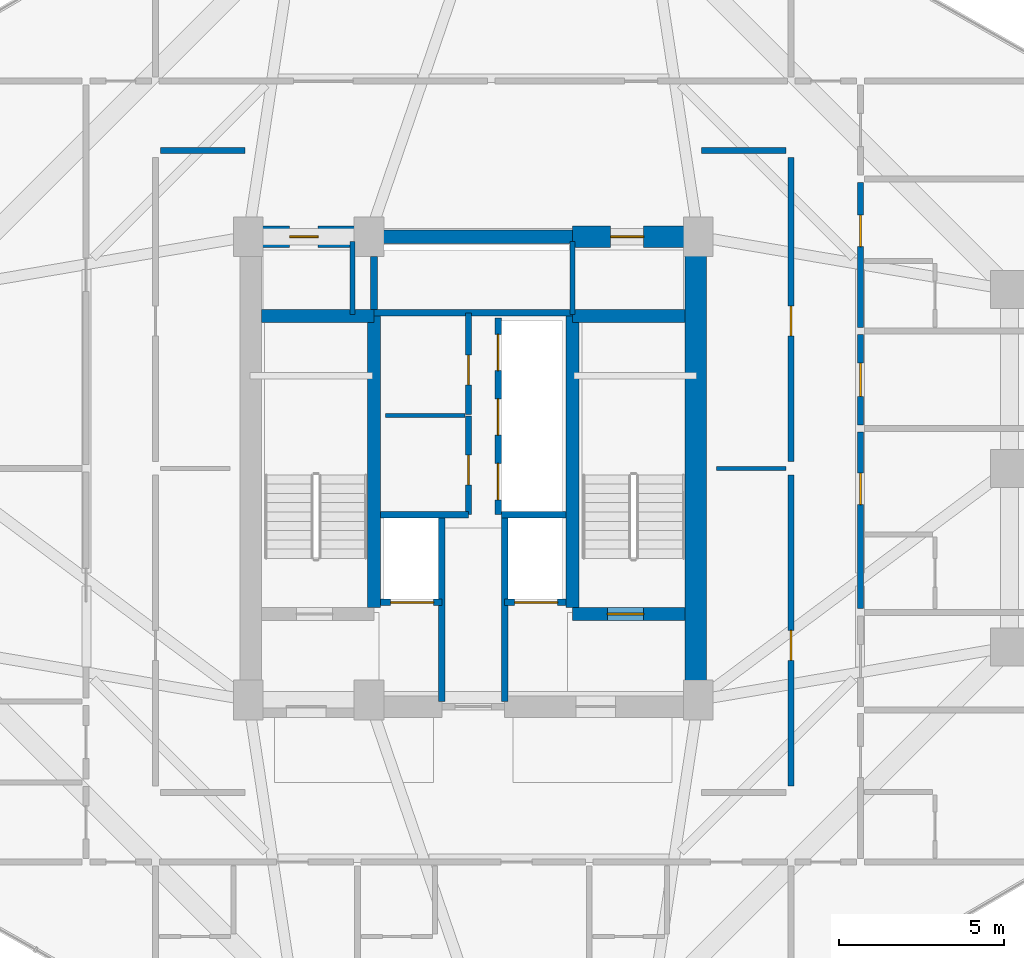
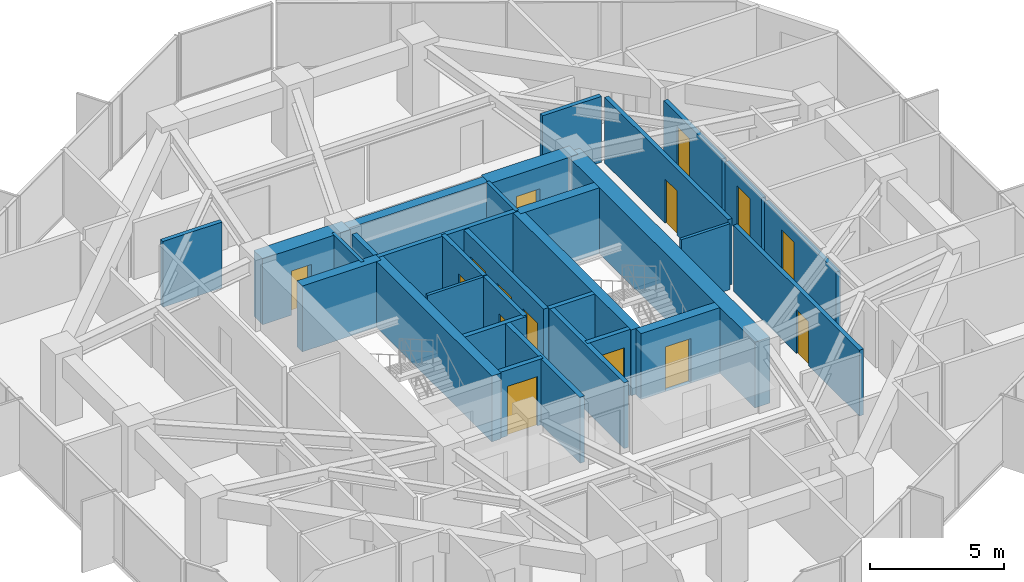
# One storey, part 27 of 30: 31 walls, 15 doors, 15 openings.
"""IFC4 building model written with IfcOpenShell, lengths in metres."""

from ifc_helpers import new_model, si_unit, direction, frame, frame_2d, origin, place, context, subcontext, project, spatial, rectangle, extrude, source, transform, mapped, material, layer, layer_set, type_object, element, fill, save


model = new_model("IFC4")

# Units and contexts
model_context = context("Model", 3, precision=1e-05, world=origin(), true_north=direction((0.0, 1.0)))
body_context = subcontext(model_context, "Body", "Model", "MODEL_VIEW")
ifc_project = project(units=[si_unit("LENGTHUNIT", "METRE"), si_unit("AREAUNIT", "SQUARE_METRE"), si_unit("VOLUMEUNIT", "CUBIC_METRE"), si_unit("PLANEANGLEUNIT", "RADIAN"), si_unit("MASSUNIT", "GRAM", prefix="KILO")], contexts=[model_context])

# Site, building, storey
site_placement = place(None, origin())
site = spatial("IfcSite", under=ifc_project, at=site_placement, CompositionType="ELEMENT")
building_placement = place(site_placement, origin())
building = spatial("IfcBuilding", under=site, at=building_placement, Name="Veraguas Prism Commons", CompositionType="ELEMENT")
storey_placement = place(building_placement, frame((0.0, 0.0, 129.5)))
storey = spatial("IfcBuildingStorey", under=building, at=storey_placement, Name="L36", CompositionType="ELEMENT", Elevation=129.5)

# Wall
ifc_material_1 = material(Name="Concrete C50/60", Category="concrete")
ifc_layer_1 = layer(ifc_material_1, 0.39990234375, Name="Clinic and Mid Core Shear Wall RC 400", Category="concrete")
ifc_layer_set_1 = layer_set([ifc_layer_1], Name="Concrete C50/60")
wall_type_1 = type_object("IfcWallType", Name="Clinic and Mid Core Shear Wall RC 400", PredefinedType="SHEAR", material=ifc_layer_set_1)
wall_1_placement = place(storey_placement, frame((21.0, 31.0, 0.0), z_axis=(0.0, 0.0, 1.0), x_axis=(1.0, 0.0, 0.0)))
element("IfcWall", 1, at=wall_1_placement, inside=storey, type_object=wall_type_1, Name="High-Rise Lift Bank Front Shear Wall L36", PredefinedType="SHEAR", context=body_context, shape_type="SweptSolid", body=[
    extrude(rectangle(XDim=6.0, YDim=0.39990234375, at=frame_2d((3.0, 0.0))), origin(), (0.0, 0.0, 1.0), 3.0),
])

# Wall, opening, door
wall_2_placement = place(storey_placement, frame((27.0, 19.60009765625, 0.0), z_axis=(0.0, 0.0, 1.0), x_axis=(1.0, 0.0, 0.0)))
wall_2 = element("IfcWall", 2, at=wall_2_placement, inside=storey, type_object=wall_type_1, Name="Stair ST-02 South Shear Wall L36", PredefinedType="SHEAR", context=body_context, shape_type="SweptSolid", body=[
    extrude(rectangle(XDim=3.39990234375, YDim=0.39990234375, at=frame_2d((1.699951171875, 0.0))), origin(), (0.0, 0.0, 1.0), 3.0),
])
opening_1_placement = place(wall_2_placement, frame((1.050048828125, 0.0, 0.0)))
opening_1 = element("IfcOpeningElement", 3, at=opening_1_placement, cuts=wall_2, Name="Opening DR-05", PredefinedType="OPENING", context=body_context, shape_type="SweptSolid", body=[
    extrude(rectangle(XDim=1.10009765625, YDim=2.030029296875, at=frame_2d((0.550048828125, 1.01513671875))), frame((0.0, 0.2099609375, 0.0), z_axis=(0.0, -1.0, 0.0), x_axis=(1.0, 0.0, 0.0)), (0.0, 0.0, 1.0), 0.419921875),
])
ifc_material_2 = material(Name="Steel fire-rated door assembly", Category="steel")
door_type_1 = type_object("IfcDoorType", Name="Protected Stair and Refuge Fire Door 1100x2030", OperationType="NOTDEFINED", PredefinedType="DOOR", material=ifc_material_2)
shared_shape_1 = source(origin(), body_context, "Body", "SweptSolid", [
    extrude(rectangle(XDim=1.10009765625, YDim=2.030029296875, at=frame_2d((0.550048828125, 1.01513671875))), frame((0.0, 0.02490234375, 0.0), z_axis=(0.0, -1.0, 0.0), x_axis=(1.0, 0.0, 0.0)), (0.0, 0.0, 1.0), 0.050048828125),
])
door_1_placement = place(opening_1_placement, origin())
door_1 = element("IfcDoor", 4, at=door_1_placement, inside=storey, type_object=door_type_1, Name="Stair ST-02 Enclosure Door L36", OperationType="SINGLE_SWING_RIGHT", OverallHeight=2.030029296875, OverallWidth=1.10009765625, PredefinedType="DOOR", context=body_context, shape_type="MappedRepresentation", body=[
    mapped(shared_shape_1, transform((0.0, 0.0, 0.0), scale=1.0)),
])
fill(opening_1, door_1)

# Walls
for number, where, z_axis, x_axis, name in (
    (5, (21.0, 19.800048828125, 0.0), (0.0, 0.0, 1.0), (0.0, 1.0, 0.0), "Stair ST-01 Inner Shear Wall L36"),
    (6, (27.0, 19.800048828125, 0.0), (0.0, 0.0, 1.0), (0.0, 1.0, 0.0), "Stair ST-02 Inner Shear Wall L36"),
):
    element("IfcWall", number, at=place(storey_placement, frame(where, z_axis=z_axis, x_axis=x_axis)), inside=storey, type_object=wall_type_1, Name=name, PredefinedType="SHEAR", context=body_context, shape_type="SweptSolid", body=[
        extrude(rectangle(XDim=8.800048828125, YDim=0.39990234375, at=frame_2d((4.39990234375, 0.0))), origin(), (0.0, 0.0, 1.0), 3.0),
    ])
for number, where, z_axis, x_axis, name in (
    (7, (17.60009765625, 28.60009765625, 0.0), (0.0, 0.0, 1.0), (1.0, 0.0, 0.0), "Stair ST-01 North Shear Wall L36"),
    (8, (27.0, 28.60009765625, 0.0), (0.0, 0.0, 1.0), (1.0, 0.0, 0.0), "Stair ST-02 North Shear Wall L36"),
):
    element("IfcWall", number, at=place(storey_placement, frame(where, z_axis=z_axis, x_axis=x_axis)), inside=storey, type_object=wall_type_1, Name=name, PredefinedType="SHEAR", context=body_context, shape_type="SweptSolid", body=[
        extrude(rectangle(XDim=3.39990234375, YDim=0.39990234375, at=frame_2d((1.699951171875, 0.0))), origin(), (0.0, 0.0, 1.0), 3.0),
    ])
ifc_material_3 = material(Name="Concrete C55/67", Category="concrete")
ifc_layer_2 = layer(ifc_material_3, 0.64990234375, Name="Core Outer Shear Wall Mid RC 650", Category="concrete")
ifc_layer_set_2 = layer_set([ifc_layer_2], Name="Concrete C55/67")
wall_type_2 = type_object("IfcWallType", Name="Core Outer Shear Wall Mid RC 650", PredefinedType="SHEAR", material=ifc_layer_set_2)
wall_3_placement = place(storey_placement, frame((30.72509765625, 16.800048828125, 0.0), z_axis=(0.0, 0.0, 1.0), x_axis=(0.0, 1.0, 0.0)))
element("IfcWall", 9, at=wall_3_placement, inside=storey, type_object=wall_type_2, Name="Central Core East Shear Wall L36", PredefinedType="SHEAR", context=body_context, shape_type="SweptSolid", body=[
    extrude(rectangle(XDim=14.199951171875, YDim=0.64990234375, at=frame_2d((7.10009765625, 0.0))), origin(), (0.0, 0.0, 1.0), 3.0),
])

# Wall, opening, door
wall_4_placement = place(storey_placement, frame((17.199951171875, 31.0, 0.0), z_axis=(0.0, 0.0, 1.0), x_axis=(1.0, 0.0, 0.0)))
wall_4 = element("IfcWall", 10, at=wall_4_placement, inside=storey, type_object=wall_type_2, Name="Central Core North-West Shear Wall L36", PredefinedType="SHEAR", context=body_context, shape_type="SweptSolid", body=[
    extrude(rectangle(XDim=3.800048828125, YDim=0.64990234375, at=frame_2d((1.89990234375, 0.0))), origin(), (0.0, 0.0, 1.0), 3.0),
])
opening_2_placement = place(wall_4_placement, frame((1.25, 0.0, 0.0)))
opening_2 = element("IfcOpeningElement", 11, at=opening_2_placement, cuts=wall_4, Name="Opening DR-12", PredefinedType="OPENING", context=body_context, shape_type="SweptSolid", body=[
    extrude(rectangle(XDim=0.860107421875, YDim=2.010009765625, at=frame_2d((0.43017578125, 1.0048828125))), frame((0.0, 0.3349609375, 0.0), z_axis=(0.0, -1.0, 0.0), x_axis=(1.0, 0.0, 0.0)), (0.0, 0.0, 1.0), 0.669921875),
])
door_type_2 = type_object("IfcDoorType", Name="Core WC Fire Door 860x2010", OperationType="NOTDEFINED", PredefinedType="DOOR", material=ifc_material_2)
shared_shape_2 = source(origin(), body_context, "Body", "SweptSolid", [
    extrude(rectangle(XDim=0.860107421875, YDim=2.010009765625, at=frame_2d((0.43017578125, 1.0048828125))), frame((0.0, 0.02490234375, 0.0), z_axis=(0.0, -1.0, 0.0), x_axis=(1.0, 0.0, 0.0)), (0.0, 0.0, 1.0), 0.050048828125),
])
door_2_placement = place(opening_2_placement, origin())
door_2 = element("IfcDoor", 12, at=door_2_placement, inside=storey, type_object=door_type_2, Name="Core NW Service Door L36", OperationType="SINGLE_SWING_LEFT", OverallHeight=2.010009765625, OverallWidth=0.860107421875, PredefinedType="DOOR", context=body_context, shape_type="MappedRepresentation", body=[
    mapped(shared_shape_2, transform((0.0, 0.0, 0.0), scale=1.0)),
])
fill(opening_2, door_2)

wall_5_placement = place(storey_placement, frame((27.0, 31.0, 0.0), z_axis=(0.0, 0.0, 1.0), x_axis=(1.0, 0.0, 0.0)))
wall_5 = element("IfcWall", 13, at=wall_5_placement, inside=storey, type_object=wall_type_2, Name="Central Core North-East Shear Wall L36", PredefinedType="SHEAR", context=body_context, shape_type="SweptSolid", body=[
    extrude(rectangle(XDim=3.800048828125, YDim=0.64990234375, at=frame_2d((1.89990234375, 0.0))), origin(), (0.0, 0.0, 1.0), 3.0),
])
opening_3_placement = place(wall_5_placement, frame((1.14990234375, 0.0, 0.0)))
opening_3 = element("IfcOpeningElement", 14, at=opening_3_placement, cuts=wall_5, Name="Opening DR-13", PredefinedType="OPENING", context=body_context, shape_type="SweptSolid", body=[
    extrude(rectangle(XDim=1.0, YDim=2.010009765625, at=frame_2d((0.5, 1.0048828125))), frame((0.0, 0.3349609375, 0.0), z_axis=(0.0, -1.0, 0.0), x_axis=(1.0, 0.0, 0.0)), (0.0, 0.0, 1.0), 0.669921875),
])
door_type_3 = type_object("IfcDoorType", Name="Core Accessible WC and Clinic Fire Door 1000x2010", OperationType="NOTDEFINED", PredefinedType="DOOR", material=ifc_material_2)
shared_shape_3 = source(origin(), body_context, "Body", "SweptSolid", [
    extrude(rectangle(XDim=1.0, YDim=2.010009765625, at=frame_2d((0.5, 1.0048828125))), frame((0.0, 0.02490234375, 0.0), z_axis=(0.0, -1.0, 0.0), x_axis=(1.0, 0.0, 0.0)), (0.0, 0.0, 1.0), 0.050048828125),
])
door_3_placement = place(opening_3_placement, origin())
door_3 = element("IfcDoor", 15, at=door_3_placement, inside=storey, type_object=door_type_3, Name="Core NE Pantry Door L36", OperationType="SINGLE_SWING_RIGHT", OverallHeight=2.010009765625, OverallWidth=1.0, PredefinedType="DOOR", context=body_context, shape_type="MappedRepresentation", body=[
    mapped(shared_shape_3, transform((0.0, 0.0, 0.0), scale=1.0)),
])
fill(opening_3, door_3)

ifc_material_4 = material(Name="Autoclaved aerated masonry block 10 MPa", Category="masonry")
ifc_layer_3 = layer(ifc_material_4, 0.179931640625, Name="Corridor and Inter-Tenancy Partition 180", Category="masonry")
ifc_layer_set_3 = layer_set([ifc_layer_3], Name="Autoclaved aerated masonry block 10 MPa")
wall_type_3 = type_object("IfcWallType", Name="Corridor and Inter-Tenancy Partition 180", PredefinedType="PARTITIONING", material=ifc_layer_set_3)
wall_6_placement = place(storey_placement, frame((23.85009765625, 22.60009765625, 0.0), z_axis=(0.0, 0.0, 1.0), x_axis=(0.0, 1.0, 0.0)))
wall_6 = element("IfcWall", 16, at=wall_6_placement, inside=storey, type_object=wall_type_3, Name="Co-op Pantry Partition L36", PredefinedType="PARTITIONING", context=body_context, shape_type="SweptSolid", body=[
    extrude(rectangle(XDim=2.97998046875, YDim=0.179931640625, at=frame_2d((1.489990234375, 0.0))), origin(), (0.0, 0.0, 1.0), 3.0),
])
opening_4_placement = place(wall_6_placement, frame((0.89990234375, 0.0, 0.0)))
opening_4 = element("IfcOpeningElement", 17, at=opening_4_placement, cuts=wall_6, Name="Opening DR-14", PredefinedType="OPENING", context=body_context, shape_type="SweptSolid", body=[
    extrude(rectangle(XDim=0.89990234375, YDim=2.010009765625, at=frame_2d((0.449951171875, 1.0048828125))), frame((0.0, 0.099853515625, 0.0), z_axis=(0.0, -1.0, 0.0), x_axis=(1.0, 0.0, 0.0)), (0.0, 0.0, 1.0), 0.199951171875),
])
door_type_4 = type_object("IfcDoorType", Name="Core Service Room Fire Door 900x2010", OperationType="NOTDEFINED", PredefinedType="DOOR", material=ifc_material_2)
shared_shape_4 = source(origin(), body_context, "Body", "SweptSolid", [
    extrude(rectangle(XDim=0.89990234375, YDim=2.010009765625, at=frame_2d((0.449951171875, 1.0048828125))), frame((0.0, 0.02490234375, 0.0), z_axis=(0.0, -1.0, 0.0), x_axis=(1.0, 0.0, 0.0)), (0.0, 0.0, 1.0), 0.050048828125),
])
door_4_placement = place(opening_4_placement, origin())
door_4 = element("IfcDoor", 18, at=door_4_placement, inside=storey, type_object=door_type_4, Name="Co-op Pantry Door L36", OperationType="SINGLE_SWING_LEFT", OverallHeight=2.010009765625, OverallWidth=0.89990234375, PredefinedType="DOOR", context=body_context, shape_type="MappedRepresentation", body=[
    mapped(shared_shape_4, transform((0.0, 0.0, 0.0), scale=1.0)),
])
fill(opening_4, door_4)

wall_7_placement = place(storey_placement, frame((23.85009765625, 25.6201171875, 0.0), z_axis=(0.0, 0.0, 1.0), x_axis=(0.0, 1.0, 0.0)))
wall_7 = element("IfcWall", 19, at=wall_7_placement, inside=storey, type_object=wall_type_3, Name="Bookshop Alcove Partition L36", PredefinedType="PARTITIONING", context=body_context, shape_type="SweptSolid", body=[
    extrude(rectangle(XDim=3.079833984375, YDim=0.179931640625, at=frame_2d((1.5400390625, 0.0))), origin(), (0.0, 0.0, 1.0), 3.0),
])
opening_5_placement = place(wall_7_placement, frame((0.89990234375, 0.0, 0.0)))
opening_5 = element("IfcOpeningElement", 20, at=opening_5_placement, cuts=wall_7, Name="Opening DR-14", PredefinedType="OPENING", context=body_context, shape_type="SweptSolid", body=[
    extrude(rectangle(XDim=0.89990234375, YDim=2.010009765625, at=frame_2d((0.449951171875, 1.0048828125))), frame((0.0, 0.099853515625, 0.0), z_axis=(0.0, -1.0, 0.0), x_axis=(1.0, 0.0, 0.0)), (0.0, 0.0, 1.0), 0.199951171875),
])
door_5_placement = place(opening_5_placement, origin())
door_5 = element("IfcDoor", 21, at=door_5_placement, inside=storey, type_object=door_type_4, Name="Bookshop Alcove Door L36", OperationType="SINGLE_SWING_RIGHT", OverallHeight=2.010009765625, OverallWidth=0.89990234375, PredefinedType="DOOR", context=body_context, shape_type="MappedRepresentation", body=[
    mapped(shared_shape_4, transform((0.0, 0.0, 0.0), scale=1.0)),
])
fill(opening_5, door_5)

wall_8_placement = place(storey_placement, frame((33.60009765625, 14.39990234375, 0.0), z_axis=(0.0, 0.0, 1.0), x_axis=(0.0, 1.0, 0.0)))
wall_8 = element("IfcWall", 22, at=wall_8_placement, inside=storey, type_object=wall_type_3, Name="WL-L36-IRE1", PredefinedType="PARTITIONING", context=body_context, shape_type="SweptSolid", body=[
    extrude(rectangle(XDim=9.400146484375, YDim=0.179931640625, at=frame_2d((4.7001953125, 0.0))), origin(), (0.0, 0.0, 1.0), 3.0),
])
opening_6_placement = place(wall_8_placement, frame((3.800048828125, 0.0, 0.0)))
opening_6 = element("IfcOpeningElement", 23, at=opening_6_placement, cuts=wall_8, Name="Opening DR-14", PredefinedType="OPENING", context=body_context, shape_type="SweptSolid", body=[
    extrude(rectangle(XDim=0.89990234375, YDim=2.010009765625, at=frame_2d((0.449951171875, 1.0048828125))), frame((0.0, 0.099853515625, 0.0), z_axis=(0.0, -1.0, 0.0), x_axis=(1.0, 0.0, 0.0)), (0.0, 0.0, 1.0), 0.199951171875),
])
door_6_placement = place(opening_6_placement, origin())
door_6 = element("IfcDoor", 24, at=door_6_placement, inside=storey, type_object=door_type_4, Name="Shared Laundry Annex Door L36", OperationType="SINGLE_SWING_LEFT", OverallHeight=2.010009765625, OverallWidth=0.89990234375, PredefinedType="DOOR", context=body_context, shape_type="MappedRepresentation", body=[
    mapped(shared_shape_4, transform((0.0, 0.0, 0.0), scale=1.0)),
])
fill(opening_6, door_6)

wall_9_placement = place(storey_placement, frame((33.60009765625, 24.199951171875, 0.0), z_axis=(0.0, 0.0, 1.0), x_axis=(0.0, 1.0, 0.0)))
wall_9 = element("IfcWall", 25, at=wall_9_placement, inside=storey, type_object=wall_type_3, Name="WL-L36-IRE2", PredefinedType="PARTITIONING", context=body_context, shape_type="SweptSolid", body=[
    extrude(rectangle(XDim=9.199951171875, YDim=0.179931640625, at=frame_2d((4.60009765625, 0.0))), origin(), (0.0, 0.0, 1.0), 3.0),
])
opening_7_placement = place(wall_9_placement, frame((3.800048828125, 0.0, 0.0)))
opening_7 = element("IfcOpeningElement", 26, at=opening_7_placement, cuts=wall_9, Name="Opening DR-14", PredefinedType="OPENING", context=body_context, shape_type="SweptSolid", body=[
    extrude(rectangle(XDim=0.89990234375, YDim=2.010009765625, at=frame_2d((0.449951171875, 1.0048828125))), frame((0.0, 0.099853515625, 0.0), z_axis=(0.0, -1.0, 0.0), x_axis=(1.0, 0.0, 0.0)), (0.0, 0.0, 1.0), 0.199951171875),
])
door_7_placement = place(opening_7_placement, origin())
door_7 = element("IfcDoor", 27, at=door_7_placement, inside=storey, type_object=door_type_4, Name="Community Reading Alcove Door L36", OperationType="SINGLE_SWING_RIGHT", OverallHeight=2.010009765625, OverallWidth=0.89990234375, PredefinedType="DOOR", context=body_context, shape_type="MappedRepresentation", body=[
    mapped(shared_shape_4, transform((0.0, 0.0, 0.0), scale=1.0)),
])
fill(opening_7, door_7)

# Walls
for number, where, z_axis, x_axis, name in (
    (28, (14.550048828125, 33.60009765625, 0.0), (0.0, 0.0, 1.0), (1.0, 0.0, 0.0), "WL-L36-IRWN"),
    (29, (30.89990234375, 33.60009765625, 0.0), (0.0, 0.0, 1.0), (1.0, 0.0, 0.0), "WL-L36-IREN"),
):
    element("IfcWall", number, at=place(storey_placement, frame(where, z_axis=z_axis, x_axis=x_axis)), inside=storey, type_object=wall_type_3, Name=name, PredefinedType="PARTITIONING", context=body_context, shape_type="SweptSolid", body=[
        extrude(rectangle(XDim=2.550048828125, YDim=0.179931640625, at=frame_2d((1.27490234375, 0.0))), origin(), (0.0, 0.0, 1.0), 3.0),
    ])

# Wall, opening, door
wall_10_placement = place(storey_placement, frame((35.699951171875, 25.31201171875, 0.0), z_axis=(0.0, 0.0, 1.0), x_axis=(0.0, 1.0, 0.0)))
wall_10 = element("IfcWall", 30, at=wall_10_placement, inside=storey, type_object=wall_type_3, Name="WL-L36-PT037", PredefinedType="PARTITIONING", context=body_context, shape_type="SweptSolid", body=[
    extrude(rectangle(XDim=2.72998046875, YDim=0.179931640625, at=frame_2d((1.364990234375, 0.0))), origin(), (0.0, 0.0, 1.0), 2.580078125),
])
opening_8_placement = place(wall_10_placement, frame((0.864990234375, 0.0, 0.0)))
opening_8 = element("IfcOpeningElement", 31, at=opening_8_placement, cuts=wall_10, Name="Opening DR-13", PredefinedType="OPENING", context=body_context, shape_type="SweptSolid", body=[
    extrude(rectangle(XDim=1.0, YDim=2.010009765625, at=frame_2d((0.5, 1.0048828125))), frame((0.0, 0.099853515625, 0.0), z_axis=(0.0, -1.0, 0.0), x_axis=(1.0, 0.0, 0.0)), (0.0, 0.0, 1.0), 0.199951171875),
])
door_8_placement = place(opening_8_placement, origin())
door_8 = element("IfcDoor", 32, at=door_8_placement, inside=storey, type_object=door_type_3, Name="Quiet Study E Door", OperationType="SINGLE_SWING_RIGHT", OverallHeight=2.010009765625, OverallWidth=1.0, PredefinedType="DOOR", context=body_context, shape_type="MappedRepresentation", body=[
    mapped(shared_shape_3, transform((0.0, 0.0, 0.0), scale=1.0)),
])
fill(opening_8, door_8)

wall_11_placement = place(storey_placement, frame((35.699951171875, 19.758056640625, 0.0), z_axis=(0.0, 0.0, 1.0), x_axis=(0.0, 1.0, 0.0)))
wall_11 = element("IfcWall", 33, at=wall_11_placement, inside=storey, type_object=wall_type_3, Name="WL-L36-PT039", PredefinedType="PARTITIONING", context=body_context, shape_type="SweptSolid", body=[
    extrude(rectangle(XDim=5.333984375, YDim=0.179931640625, at=frame_2d((2.6669921875, 0.0))), origin(), (0.0, 0.0, 1.0), 2.580078125),
])
opening_9_placement = place(wall_11_placement, frame((3.148193359375, 0.0, 0.0)))
opening_9 = element("IfcOpeningElement", 34, at=opening_9_placement, cuts=wall_11, Name="Opening DR-01", PredefinedType="OPENING", context=body_context, shape_type="SweptSolid", body=[
    extrude(rectangle(XDim=0.949951171875, YDim=2.02001953125, at=frame_2d((0.47509765625, 1.010009765625))), frame((0.0, 0.099853515625, 0.0), z_axis=(0.0, -1.0, 0.0), x_axis=(1.0, 0.0, 0.0)), (0.0, 0.0, 1.0), 0.199951171875),
])
ifc_material_5 = material(Name="Anodised aluminium EN AW-6063 T6", Category="aluminium")
door_type_5 = type_object("IfcDoorType", Name="Apartment Entrance Fire Door 950x2020", OperationType="NOTDEFINED", PredefinedType="DOOR", material=ifc_material_5)
shared_shape_5 = source(origin(), body_context, "Body", "SweptSolid", [
    extrude(rectangle(XDim=0.949951171875, YDim=2.02001953125, at=frame_2d((0.47509765625, 1.010009765625))), frame((0.0, 0.02490234375, 0.0), z_axis=(0.0, -1.0, 0.0), x_axis=(1.0, 0.0, 0.0)), (0.0, 0.0, 1.0), 0.050048828125),
])
door_9_placement = place(opening_9_placement, origin())
door_9 = element("IfcDoor", 35, at=door_9_placement, inside=storey, type_object=door_type_5, Name="Studio 36E Entrance Door", OperationType="SINGLE_SWING_LEFT", OverallHeight=2.02001953125, OverallWidth=0.949951171875, PredefinedType="DOOR", context=body_context, shape_type="MappedRepresentation", body=[
    mapped(shared_shape_5, transform((0.0, 0.0, 0.0), scale=1.0)),
])
fill(opening_9, door_9)

wall_12_placement = place(storey_placement, frame((35.699951171875, 28.261962890625, 0.0), z_axis=(0.0, 0.0, 1.0), x_axis=(0.0, 1.0, 0.0)))
wall_12 = element("IfcWall", 36, at=wall_12_placement, inside=storey, type_object=wall_type_3, Name="WL-L36-PT045", PredefinedType="PARTITIONING", context=body_context, shape_type="SweptSolid", body=[
    extrude(rectangle(XDim=4.3779296875, YDim=0.179931640625, at=frame_2d((2.18896484375, 0.0))), origin(), (0.0, 0.0, 1.0), 2.580078125),
])
opening_10_placement = place(wall_12_placement, frame((2.440673828125, 0.0, 0.0)))
opening_10 = element("IfcOpeningElement", 37, at=opening_10_placement, cuts=wall_12, Name="Opening DR-01", PredefinedType="OPENING", context=body_context, shape_type="SweptSolid", body=[
    extrude(rectangle(XDim=0.949951171875, YDim=2.02001953125, at=frame_2d((0.47509765625, 1.010009765625))), frame((0.0, 0.099853515625, 0.0), z_axis=(0.0, -1.0, 0.0), x_axis=(1.0, 0.0, 0.0)), (0.0, 0.0, 1.0), 0.199951171875),
])
door_10_placement = place(opening_10_placement, origin())
door_10 = element("IfcDoor", 38, at=door_10_placement, inside=storey, type_object=door_type_5, Name="Studio 36F Entrance Door", OperationType="SINGLE_SWING_RIGHT", OverallHeight=2.02001953125, OverallWidth=0.949951171875, PredefinedType="DOOR", context=body_context, shape_type="MappedRepresentation", body=[
    mapped(shared_shape_5, transform((0.0, 0.0, 0.0), scale=1.0)),
])
fill(opening_10, door_10)

# Walls
ifc_material_6 = material(Name="Lightweight acoustic gypsum board")
ifc_layer_4 = layer(ifc_material_6, 0.125, Name="Internal Apartment Room Partition 125")
ifc_layer_set_4 = layer_set([ifc_layer_4], Name="Lightweight acoustic gypsum board")
wall_type_4 = type_object("IfcWallType", Name="Internal Apartment Room Partition 125", PredefinedType="PARTITIONING", material=ifc_layer_set_4)
wall_13_placement = place(storey_placement, frame((21.35009765625, 25.60009765625, 0.0), z_axis=(0.0, 0.0, 1.0), x_axis=(1.0, 0.0, 0.0)))
element("IfcWall", 39, at=wall_13_placement, inside=storey, type_object=wall_type_4, Name="WL-L36-FRWLM", PredefinedType="PARTITIONING", context=body_context, shape_type="SweptSolid", body=[
    extrude(rectangle(XDim=2.39990234375, YDim=0.125, at=frame_2d((1.199951171875, 0.0))), origin(), (0.0, 0.0, 1.0), 3.0),
])
wall_14_placement = place(storey_placement, frame((31.35009765625, 24.0, 0.0), z_axis=(0.0, 0.0, 1.0), x_axis=(1.0, 0.0, 0.0)))
element("IfcWall", 40, at=wall_14_placement, inside=storey, type_object=wall_type_4, Name="WL-L36-IREM", PredefinedType="PARTITIONING", context=body_context, shape_type="SweptSolid", body=[
    extrude(rectangle(XDim=2.099853515625, YDim=0.125, at=frame_2d((1.0498046875, 0.0))), origin(), (0.0, 0.0, 1.0), 3.0),
])

# Wall, opening, door
ifc_layer_5 = layer(ifc_material_4, 0.199951171875, Name="Rated Shaft and Lobby Block Wall 200", Category="masonry")
ifc_layer_set_5 = layer_set([ifc_layer_5], Name="Autoclaved aerated masonry block 10 MPa")
wall_type_5 = type_object("IfcWallType", Name="Rated Shaft and Lobby Block Wall 200", PredefinedType="SOLIDWALL", material=ifc_layer_set_5)
wall_15_placement = place(storey_placement, frame((21.199951171875, 19.949951171875, 0.0), z_axis=(0.0, 0.0, 1.0), x_axis=(1.0, 0.0, 0.0)))
wall_15 = element("IfcWall", 41, at=wall_15_placement, inside=storey, type_object=wall_type_5, Name="Firefighting Lift FFL-1 Front Wall L36", PredefinedType="SOLIDWALL", context=body_context, shape_type="SweptSolid", body=[
    extrude(rectangle(XDim=1.85009765625, YDim=0.199951171875, at=frame_2d((0.925048828125, 0.0))), origin(), (0.0, 0.0, 1.0), 3.0),
])
opening_11_placement = place(wall_15_placement, frame((0.300048828125, 0.0, 0.0)))
opening_11 = element("IfcOpeningElement", 42, at=opening_11_placement, cuts=wall_15, Name="Opening LD-02", PredefinedType="OPENING", context=body_context, shape_type="SweptSolid", body=[
    extrude(rectangle(XDim=1.300048828125, YDim=2.25, at=frame_2d((0.64990234375, 1.125))), frame((0.0, 0.10986328125, 0.0), z_axis=(0.0, -1.0, 0.0), x_axis=(1.0, 0.0, 0.0)), (0.0, 0.0, 1.0), 0.219970703125),
])
ifc_material_7 = material(Name="Stainless steel AISI 316", Category="steel")
door_type_6 = type_object("IfcDoorType", Name="Firefighting Lift Sliding Landing Door 1300x2250", OperationType="NOTDEFINED", PredefinedType="DOOR", material=ifc_material_7)
shared_shape_6 = source(origin(), body_context, "Body", "SweptSolid", [
    extrude(rectangle(XDim=1.300048828125, YDim=2.25, at=frame_2d((0.64990234375, 1.125))), frame((0.0, 0.02490234375, 0.0), z_axis=(0.0, -1.0, 0.0), x_axis=(1.0, 0.0, 0.0)), (0.0, 0.0, 1.0), 0.050048828125),
])
door_11_placement = place(opening_11_placement, origin())
door_11 = element("IfcDoor", 43, at=door_11_placement, inside=storey, type_object=door_type_6, Name="Firefighting Lift FFL-1 Landing Door L36", OperationType="SLIDING_TO_LEFT", OverallHeight=2.25, OverallWidth=1.300048828125, PredefinedType="DOOR", context=body_context, shape_type="MappedRepresentation", body=[
    mapped(shared_shape_6, transform((0.0, 0.0, 0.0), scale=1.0)),
])
fill(opening_11, door_11)

wall_16_placement = place(storey_placement, frame((24.949951171875, 19.949951171875, 0.0), z_axis=(0.0, 0.0, 1.0), x_axis=(1.0, 0.0, 0.0)))
wall_16 = element("IfcWall", 44, at=wall_16_placement, inside=storey, type_object=wall_type_5, Name="Firefighting Lift FFL-2 Front Wall L36", PredefinedType="SOLIDWALL", context=body_context, shape_type="SweptSolid", body=[
    extrude(rectangle(XDim=1.85009765625, YDim=0.199951171875, at=frame_2d((0.925048828125, 0.0))), origin(), (0.0, 0.0, 1.0), 3.0),
])
opening_12_placement = place(wall_16_placement, frame((0.300048828125, 0.0, 0.0)))
opening_12 = element("IfcOpeningElement", 45, at=opening_12_placement, cuts=wall_16, Name="Opening LD-02", PredefinedType="OPENING", context=body_context, shape_type="SweptSolid", body=[
    extrude(rectangle(XDim=1.300048828125, YDim=2.25, at=frame_2d((0.64990234375, 1.125))), frame((0.0, 0.10986328125, 0.0), z_axis=(0.0, -1.0, 0.0), x_axis=(1.0, 0.0, 0.0)), (0.0, 0.0, 1.0), 0.219970703125),
])
door_12_placement = place(opening_12_placement, origin())
door_12 = element("IfcDoor", 46, at=door_12_placement, inside=storey, type_object=door_type_6, Name="Firefighting Lift FFL-2 Front Wall L36", OperationType="SLIDING_TO_LEFT", OverallHeight=2.25, OverallWidth=1.300048828125, PredefinedType="DOOR", context=body_context, shape_type="MappedRepresentation", body=[
    mapped(shared_shape_6, transform((0.0, 0.0, 0.0), scale=1.0)),
])
fill(opening_12, door_12)

# Walls
for number, where, z_axis, x_axis, name in (
    (47, (23.050048828125, 16.949951171875, 0.0), (0.0, 0.0, 1.0), (0.0, 1.0, 0.0), "West FF Lobby Divider Wall L36"),
    (48, (24.949951171875, 16.949951171875, 0.0), (0.0, 0.0, 1.0), (0.0, 1.0, 0.0), "East FF Lobby Divider Wall L36"),
):
    element("IfcWall", number, at=place(storey_placement, frame(where, z_axis=z_axis, x_axis=x_axis)), inside=storey, type_object=wall_type_5, Name=name, PredefinedType="SOLIDWALL", context=body_context, shape_type="SweptSolid", body=[
        extrude(rectangle(XDim=5.60009765625, YDim=0.199951171875, at=frame_2d((2.800048828125, 0.0))), origin(), (0.0, 0.0, 1.0), 3.0),
    ])
wall_17_placement = place(storey_placement, frame((21.199951171875, 22.60009765625, 0.0), z_axis=(0.0, 0.0, 1.0), x_axis=(1.0, 0.0, 0.0)))
element("IfcWall", 49, at=wall_17_placement, inside=storey, type_object=wall_type_5, Name="Firefighting Lift FFL-1 Rear Wall L36", PredefinedType="SOLIDWALL", context=body_context, shape_type="SweptSolid", body=[
    extrude(rectangle(XDim=2.650146484375, YDim=0.199951171875, at=frame_2d((1.3251953125, 0.0))), origin(), (0.0, 0.0, 1.0), 3.0),
])
wall_18_placement = place(storey_placement, frame((24.85009765625, 22.60009765625, 0.0), z_axis=(0.0, 0.0, 1.0), x_axis=(1.0, 0.0, 0.0)))
element("IfcWall", 50, at=wall_18_placement, inside=storey, type_object=wall_type_5, Name="Firefighting Lift FFL-2 Rear Wall L36", PredefinedType="SOLIDWALL", context=body_context, shape_type="SweptSolid", body=[
    extrude(rectangle(XDim=1.949951171875, YDim=0.199951171875, at=frame_2d((0.97509765625, 0.0))), origin(), (0.0, 0.0, 1.0), 3.0),
])
wall_19_placement = place(storey_placement, frame((21.0, 28.699951171875, 0.0), z_axis=(0.0, 0.0, 1.0), x_axis=(1.0, 0.0, 0.0)))
element("IfcWall", 51, at=wall_19_placement, inside=storey, type_object=wall_type_5, Name="High-Rise Lift Bank Rear Shaft Wall L36", PredefinedType="SOLIDWALL", context=body_context, shape_type="SweptSolid", body=[
    extrude(rectangle(XDim=6.0, YDim=0.199951171875, at=frame_2d((3.0, 0.0))), origin(), (0.0, 0.0, 1.0), 3.0),
])
wall_20_placement = place(storey_placement, frame((21.0, 28.800048828125, 0.0), z_axis=(0.0, 0.0, 1.0), x_axis=(0.0, 1.0, 0.0)))
element("IfcWall", 52, at=wall_20_placement, inside=storey, type_object=wall_type_5, Name="High-Rise Lift Bank West Shaft Wall L36", PredefinedType="SOLIDWALL", context=body_context, shape_type="SweptSolid", body=[
    extrude(rectangle(XDim=1.599853515625, YDim=0.199951171875, at=frame_2d((0.7998046875, 0.0))), origin(), (0.0, 0.0, 1.0), 3.0),
])

# Wall, openings, doors
wall_21_placement = place(storey_placement, frame((24.75, 22.60009765625, 0.0), z_axis=(0.0, 0.0, 1.0), x_axis=(0.0, 1.0, 0.0)))
wall_21 = element("IfcWall", 53, at=wall_21_placement, inside=storey, type_object=wall_type_5, Name="Mid-Rise Lift Bank Front Wall L36", PredefinedType="SOLIDWALL", context=body_context, shape_type="SweptSolid", body=[
    extrude(rectangle(XDim=5.949951171875, YDim=0.199951171875, at=frame_2d((2.97509765625, 0.0))), origin(), (0.0, 0.0, 1.0), 3.0),
])
opening_13_placement = place(wall_21_placement, frame((0.449951171875, 0.0, 0.0)))
opening_13 = element("IfcOpeningElement", 54, at=opening_13_placement, cuts=wall_21, Name="Opening LD-01", PredefinedType="OPENING", context=body_context, shape_type="SweptSolid", body=[
    extrude(rectangle(XDim=1.10009765625, YDim=2.080078125, at=frame_2d((0.550048828125, 1.0400390625))), frame((0.0, 0.10986328125, 0.0), z_axis=(0.0, -1.0, 0.0), x_axis=(1.0, 0.0, 0.0)), (0.0, 0.0, 1.0), 0.219970703125),
])
opening_14_placement = place(wall_21_placement, frame((2.39990234375, 0.0, 0.0)))
opening_14 = element("IfcOpeningElement", 55, at=opening_14_placement, cuts=wall_21, Name="Opening LD-01", PredefinedType="OPENING", context=body_context, shape_type="SweptSolid", body=[
    extrude(rectangle(XDim=1.10009765625, YDim=2.080078125, at=frame_2d((0.550048828125, 1.0400390625))), frame((0.0, 0.10986328125, 0.0), z_axis=(0.0, -1.0, 0.0), x_axis=(1.0, 0.0, 0.0)), (0.0, 0.0, 1.0), 0.219970703125),
])
opening_15_placement = place(wall_21_placement, frame((4.35009765625, 0.0, 0.0)))
opening_15 = element("IfcOpeningElement", 56, at=opening_15_placement, cuts=wall_21, Name="Opening LD-01", PredefinedType="OPENING", context=body_context, shape_type="SweptSolid", body=[
    extrude(rectangle(XDim=1.10009765625, YDim=2.080078125, at=frame_2d((0.550048828125, 1.0400390625))), frame((0.0, 0.10986328125, 0.0), z_axis=(0.0, -1.0, 0.0), x_axis=(1.0, 0.0, 0.0)), (0.0, 0.0, 1.0), 0.219970703125),
])
door_type_7 = type_object("IfcDoorType", Name="Passenger Lift Sliding Landing Door 1100x2080", OperationType="NOTDEFINED", PredefinedType="DOOR", material=ifc_material_7)
shared_shape_7 = source(origin(), body_context, "Body", "SweptSolid", [
    extrude(rectangle(XDim=1.10009765625, YDim=2.080078125, at=frame_2d((0.550048828125, 1.0400390625))), frame((0.0, 0.02490234375, 0.0), z_axis=(0.0, -1.0, 0.0), x_axis=(1.0, 0.0, 0.0)), (0.0, 0.0, 1.0), 0.050048828125),
])
door_13_placement = place(opening_13_placement, origin())
door_13 = element("IfcDoor", 57, at=door_13_placement, inside=storey, type_object=door_type_7, Name="Sliding Landing Door PL-M1 L36", OperationType="SLIDING_TO_LEFT", OverallHeight=2.080078125, OverallWidth=1.10009765625, PredefinedType="DOOR", context=body_context, shape_type="MappedRepresentation", body=[
    mapped(shared_shape_7, transform((0.0, 0.0, 0.0), scale=1.0)),
])
fill(opening_13, door_13)
door_14_placement = place(opening_14_placement, origin())
door_14 = element("IfcDoor", 58, at=door_14_placement, inside=storey, type_object=door_type_7, Name="Sliding Landing Door PL-M2 L36", OperationType="SLIDING_TO_LEFT", OverallHeight=2.080078125, OverallWidth=1.10009765625, PredefinedType="DOOR", context=body_context, shape_type="MappedRepresentation", body=[
    mapped(shared_shape_7, transform((0.0, 0.0, 0.0), scale=1.0)),
])
fill(opening_14, door_14)
door_15_placement = place(opening_15_placement, origin())
door_15 = element("IfcDoor", 59, at=door_15_placement, inside=storey, type_object=door_type_7, Name="Sliding Landing Door PL-M3 L36", OperationType="SLIDING_TO_LEFT", OverallHeight=2.080078125, OverallWidth=1.10009765625, PredefinedType="DOOR", context=body_context, shape_type="MappedRepresentation", body=[
    mapped(shared_shape_7, transform((0.0, 0.0, 0.0), scale=1.0)),
])
fill(opening_15, door_15)

# Walls
ifc_layer_6 = layer(ifc_material_6, 0.14990234375, Name="Wet Room and Clinic Acoustic Partition 150")
ifc_layer_set_6 = layer_set([ifc_layer_6], Name="Lightweight acoustic gypsum board")
wall_type_6 = type_object("IfcWallType", Name="Wet Room and Clinic Acoustic Partition 150", PredefinedType="PARTITIONING", material=ifc_layer_set_6)
for number, where, z_axis, x_axis, name in (
    (60, (20.35009765625, 28.64990234375, 0.0), (0.0, 0.0, 1.0), (0.0, 1.0, 0.0), "Core NW Service Inner Wall L36"),
    (61, (27.0, 28.64990234375, 0.0), (0.0, 0.0, 1.0), (0.0, 1.0, 0.0), "Core NE Service Inner Wall L36"),
):
    element("IfcWall", number, at=place(storey_placement, frame(where, z_axis=z_axis, x_axis=x_axis)), inside=storey, type_object=wall_type_6, Name=name, PredefinedType="PARTITIONING", context=body_context, shape_type="SweptSolid", body=[
        extrude(rectangle(XDim=2.2001953125, YDim=0.14990234375, at=frame_2d((1.10009765625, 0.0))), origin(), (0.0, 0.0, 1.0), 3.0),
    ])

save(model, "model.ifc")
